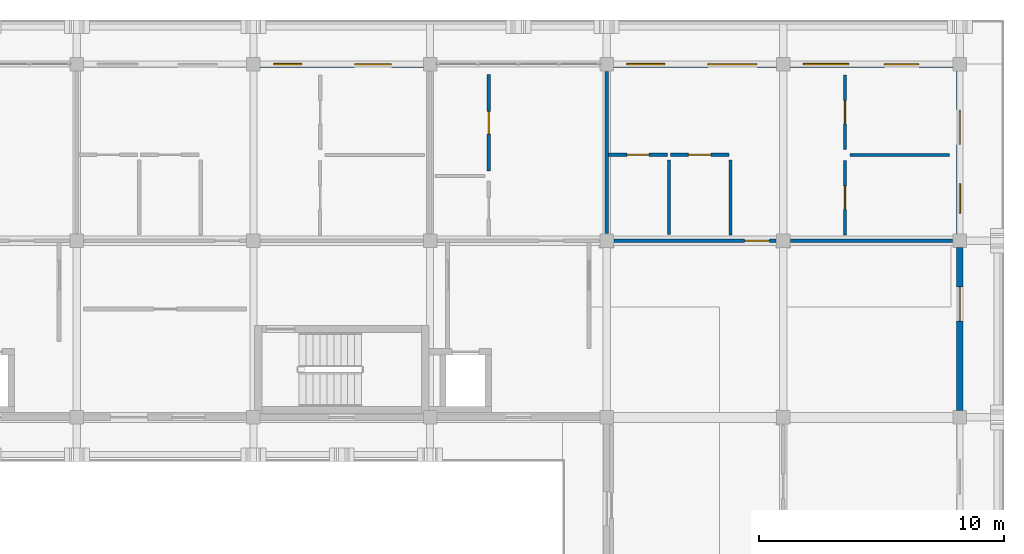
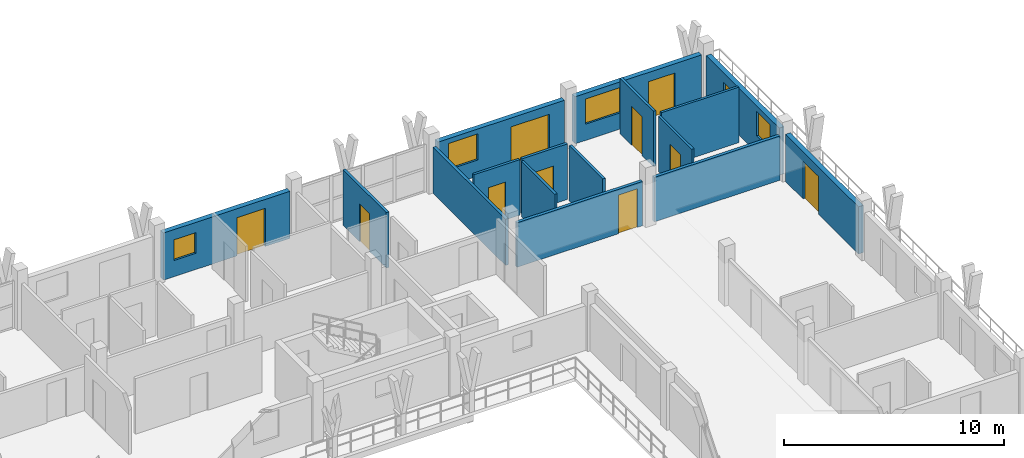
# One storey, part 47 of 60: 16 walls, 11 doors, 4 windows, 15 openings.
"""IFC4 building model written with IfcOpenShell, lengths in metres."""

from ifc_helpers import new_model, si_unit, direction, frame, frame_2d, origin, place, context, subcontext, project, spatial, rectangle, extrude, material, layer, layer_set, type_object, element, fill, save


model = new_model("IFC4")

# Units and contexts
model_context = context("Model", 3, precision=1e-05, world=origin(), true_north=direction((0.0, 1.0)))
body_context = subcontext(model_context, "Body", "Model", "MODEL_VIEW")
ifc_project = project(units=[si_unit("LENGTHUNIT", "METRE"), si_unit("AREAUNIT", "SQUARE_METRE"), si_unit("VOLUMEUNIT", "CUBIC_METRE"), si_unit("PLANEANGLEUNIT", "RADIAN"), si_unit("MASSUNIT", "GRAM", prefix="KILO")], contexts=[model_context])

# Site, building, storey
site_placement = place(None, origin())
site = spatial("IfcSite", under=ifc_project, at=site_placement, CompositionType="ELEMENT")
building_placement = place(site_placement, origin())
building = spatial("IfcBuilding", under=site, at=building_placement, Name="Suanplinth Sawtooth Commons", CompositionType="ELEMENT")
storey_placement = place(building_placement, frame((0.0, 0.0, 31.5)))
storey = spatial("IfcBuildingStorey", under=building, at=storey_placement, Name="L09", CompositionType="ELEMENT", Elevation=31.5)

# Wall, openings, door, window
ifc_material_1 = material(Name="Precast concrete C40/50", Category="concrete")
ifc_layer_1 = layer(ifc_material_1, 0.260009765625, Name="Insulated precast courtyard facade wall 260mm")
ifc_layer_set_1 = layer_set([ifc_layer_1], Name="Precast concrete C40/50")
wall_type_1 = type_object("IfcWallType", Name="W-EX02", PredefinedType="ELEMENTEDWALL", material=ifc_layer_set_1)
wall_1_placement = place(storey_placement, frame((158.675048828125, 122.39990234375, 0.0), z_axis=(0.0, 0.0, 1.0), x_axis=(1.0, 0.0, 0.0)))
wall_1 = element("IfcWall", 1, at=wall_1_placement, inside=storey, type_object=wall_type_1, Name="Facade Wall W-L09-B-N-22-16", PredefinedType="ELEMENTEDWALL", context=body_context, shape_type="SweptSolid", body=[
    extrude(rectangle(XDim=6.64990234375, YDim=0.260009765625, at=frame_2d((3.324951171875, 0.0))), origin(), (0.0, 0.0, 1.0), 2.614990234375),
])
opening_1_placement = place(wall_1_placement, frame((3.85009765625, 0.0, 0.0)))
opening_1 = element("IfcOpeningElement", 2, at=opening_1_placement, cuts=wall_1, Name="Opening ED0711", PredefinedType="OPENING", context=body_context, shape_type="SweptSolid", body=[
    extrude(rectangle(XDim=1.5, YDim=2.1201171875, at=frame_2d((0.75, 1.06005859375))), frame((0.0, 0.14501953125, 0.0), z_axis=(0.0, -1.0, 0.0), x_axis=(1.0, 0.0, 0.0)), (0.0, 0.0, 1.0), 0.289794921875),
])
opening_2_placement = place(wall_1_placement, frame((0.550048828125, 0.0, 0.89990234375)))
opening_2 = element("IfcOpeningElement", 3, at=opening_2_placement, cuts=wall_1, Name="Opening W0793", PredefinedType="OPENING", context=body_context, shape_type="SweptSolid", body=[
    extrude(rectangle(XDim=1.14990234375, YDim=1.14990234375, at=frame_2d((0.574951171875, 0.574951171875))), frame((0.0, 0.14501953125, 0.0), z_axis=(0.0, -1.0, 0.0), x_axis=(1.0, 0.0, 0.0)), (0.0, 0.0, 1.0), 0.289794921875),
])
ifc_material_2 = material(Name="Anodized aluminium and low-E glass", Category="aluminium")
door_type_1 = type_object("IfcDoorType", Name="SD-03", OperationType="SLIDING_TO_LEFT", PredefinedType="DOOR", material=ifc_material_2)
door_1_placement = place(opening_1_placement, frame((1.5, 0.0, 0.0), z_axis=(0.0, 0.0, 1.0), x_axis=(-1.0, 0.0, 0.0)))
door_1 = element("IfcDoor", 4, at=door_1_placement, inside=storey, type_object=door_type_1, Name="Balcony Sliding Door L09-B-22", OperationType="SLIDING_TO_LEFT", OverallHeight=2.1201171875, OverallWidth=1.5, PredefinedType="DOOR", context=body_context, shape_type="SweptSolid", body=[
    extrude(rectangle(XDim=1.5, YDim=2.1201171875, at=frame_2d((0.75, 1.06005859375))), frame((0.0, 0.02490234375, 0.0), z_axis=(0.0, -1.0, 0.0), x_axis=(1.0, 0.0, 0.0)), (0.0, 0.0, 1.0), 0.050048828125),
])
fill(opening_1, door_1)
ifc_material_3 = material(Name="Thermally broken aluminium and low-E double glazing", Category="aluminium")
window_type_1 = type_object("IfcWindowType", Name="WN-20", PartitioningType="SINGLE_PANEL", PredefinedType="WINDOW", material=ifc_material_3)
window_1_placement = place(opening_2_placement, origin())
window_1 = element("IfcWindow", 5, at=window_1_placement, inside=storey, type_object=window_type_1, Name="Apartment Window L09-B-22", OverallHeight=1.14990234375, OverallWidth=1.14990234375, PartitioningType="SINGLE_PANEL", PredefinedType="WINDOW", context=body_context, shape_type="SweptSolid", body=[
    extrude(rectangle(XDim=1.14990234375, YDim=1.14990234375, at=frame_2d((0.574951171875, 0.574951171875))), frame((0.0, 0.030029296875, 0.0), z_axis=(0.0, -1.0, 0.0), x_axis=(1.0, 0.0, 0.0)), (0.0, 0.0, 1.0), 0.06005859375),
])
fill(opening_2, window_1)

wall_2_placement = place(storey_placement, frame((173.074951171875, 122.39990234375, 0.0), z_axis=(0.0, 0.0, 1.0), x_axis=(1.0, 0.0, 0.0)))
wall_2 = element("IfcWall", 6, at=wall_2_placement, inside=storey, type_object=wall_type_1, Name="Facade Wall W-L09-B-N-24-16", PredefinedType="ELEMENTEDWALL", context=body_context, shape_type="SweptSolid", body=[
    extrude(rectangle(XDim=6.650146484375, YDim=0.260009765625, at=frame_2d((3.3251953125, 0.0))), origin(), (0.0, 0.0, 1.0), 2.614990234375),
])
opening_3_placement = place(wall_2_placement, frame((3.85009765625, 0.0, 0.0)))
opening_3 = element("IfcOpeningElement", 7, at=opening_3_placement, cuts=wall_2, Name="Opening ED0714", PredefinedType="OPENING", context=body_context, shape_type="SweptSolid", body=[
    extrude(rectangle(XDim=2.0, YDim=2.1201171875, at=frame_2d((1.0, 1.06005859375))), frame((0.0, 0.14501953125, 0.0), z_axis=(0.0, -1.0, 0.0), x_axis=(1.0, 0.0, 0.0)), (0.0, 0.0, 1.0), 0.289794921875),
])
opening_4_placement = place(wall_2_placement, frame((0.550048828125, 0.0, 0.89990234375)))
opening_4 = element("IfcOpeningElement", 8, at=opening_4_placement, cuts=wall_2, Name="Opening W0796", PredefinedType="OPENING", context=body_context, shape_type="SweptSolid", body=[
    extrude(rectangle(XDim=1.550048828125, YDim=1.449951171875, at=frame_2d((0.77490234375, 0.72509765625))), frame((0.0, 0.14501953125, 0.0), z_axis=(0.0, -1.0, 0.0), x_axis=(1.0, 0.0, 0.0)), (0.0, 0.0, 1.0), 0.289794921875),
])
door_type_2 = type_object("IfcDoorType", Name="SD-06", OperationType="DOUBLE_DOOR_SLIDING", PredefinedType="DOOR", material=ifc_material_2)
door_2_placement = place(opening_3_placement, frame((2.0, 0.0, 0.0), z_axis=(0.0, 0.0, 1.0), x_axis=(-1.0, 0.0, 0.0)))
door_2 = element("IfcDoor", 9, at=door_2_placement, inside=storey, type_object=door_type_2, Name="Balcony Sliding Door L09-B-24", OperationType="DOUBLE_DOOR_SLIDING", OverallHeight=2.1201171875, OverallWidth=2.0, PredefinedType="DOOR", context=body_context, shape_type="SweptSolid", body=[
    extrude(rectangle(XDim=2.0, YDim=2.1201171875, at=frame_2d((1.0, 1.06005859375))), frame((0.0, 0.02490234375, 0.0), z_axis=(0.0, -1.0, 0.0), x_axis=(1.0, 0.0, 0.0)), (0.0, 0.0, 1.0), 0.050048828125),
])
fill(opening_3, door_2)
window_type_2 = type_object("IfcWindowType", Name="WN-22", PartitioningType="DOUBLE_PANEL_VERTICAL", PredefinedType="WINDOW", material=ifc_material_3)
window_2_placement = place(opening_4_placement, origin())
window_2 = element("IfcWindow", 10, at=window_2_placement, inside=storey, type_object=window_type_2, Name="Apartment Window L09-B-24", OverallHeight=1.449951171875, OverallWidth=1.550048828125, PartitioningType="DOUBLE_PANEL_VERTICAL", PredefinedType="WINDOW", context=body_context, shape_type="SweptSolid", body=[
    extrude(rectangle(XDim=1.550048828125, YDim=1.449951171875, at=frame_2d((0.77490234375, 0.72509765625))), frame((0.0, 0.030029296875, 0.0), z_axis=(0.0, -1.0, 0.0), x_axis=(1.0, 0.0, 0.0)), (0.0, 0.0, 1.0), 0.06005859375),
])
fill(opening_4, window_2)

# Wall, opening, door
wall_3_placement = place(storey_placement, frame((187.199951171875, 108.27490234375, 0.0), z_axis=(0.0, 0.0, 1.0), x_axis=(0.0, 1.0, 0.0)))
wall_3 = element("IfcWall", 11, at=wall_3_placement, inside=storey, type_object=wall_type_1, Name="Facade Wall W-L09-B-E-25-15", PredefinedType="ELEMENTEDWALL", context=body_context, shape_type="SweptSolid", body=[
    extrude(rectangle(XDim=6.650146484375, YDim=0.260009765625, at=frame_2d((3.3251953125, 0.0))), origin(), (0.0, 0.0, 1.0), 2.614990234375),
])
opening_5_placement = place(wall_3_placement, frame((3.64990234375, 0.0, 0.0)))
opening_5 = element("IfcOpeningElement", 12, at=opening_5_placement, cuts=wall_3, Name="Opening ED0718", PredefinedType="OPENING", context=body_context, shape_type="SweptSolid", body=[
    extrude(rectangle(XDim=1.39990234375, YDim=2.10009765625, at=frame_2d((0.699951171875, 1.050048828125))), frame((0.0, 0.14501953125, 0.0), z_axis=(0.0, -1.0, 0.0), x_axis=(1.0, 0.0, 0.0)), (0.0, 0.0, 1.0), 0.289794921875),
])
door_type_3 = type_object("IfcDoorType", Name="SD-07", OperationType="SLIDING_TO_RIGHT", PredefinedType="DOOR", material=ifc_material_2)
door_3_placement = place(opening_5_placement, frame((1.39990234375, 0.0, 0.0), z_axis=(0.0, 0.0, 1.0), x_axis=(-1.0, 0.0, 0.0)))
door_3 = element("IfcDoor", 13, at=door_3_placement, inside=storey, type_object=door_type_3, Name="End Balcony Sliding Door L09-B-E-25-15", OperationType="SLIDING_TO_RIGHT", OverallHeight=2.10009765625, OverallWidth=1.39990234375, PredefinedType="DOOR", context=body_context, shape_type="SweptSolid", body=[
    extrude(rectangle(XDim=1.39990234375, YDim=2.10009765625, at=frame_2d((0.699951171875, 1.050048828125))), frame((0.0, 0.02490234375, 0.0), z_axis=(0.0, -1.0, 0.0), x_axis=(1.0, 0.0, 0.0)), (0.0, 0.0, 1.0), 0.050048828125),
])
fill(opening_5, door_3)

# Wall, openings, door, window
wall_4_placement = place(storey_placement, frame((180.27490234375, 122.39990234375, 0.0), z_axis=(0.0, 0.0, 1.0), x_axis=(1.0, 0.0, 0.0)))
wall_4 = element("IfcWall", 14, at=wall_4_placement, inside=storey, type_object=wall_type_1, Name="Facade Wall W-L09-B-N-25-16", PredefinedType="ELEMENTEDWALL", context=body_context, shape_type="SweptSolid", body=[
    extrude(rectangle(XDim=6.650146484375, YDim=0.260009765625, at=frame_2d((3.3251953125, 0.0))), origin(), (0.0, 0.0, 1.0), 2.614990234375),
])
opening_6_placement = place(wall_4_placement, frame((3.85009765625, 0.0, 0.0)))
opening_6 = element("IfcOpeningElement", 15, at=opening_6_placement, cuts=wall_4, Name="Opening ED0719", PredefinedType="OPENING", context=body_context, shape_type="SweptSolid", body=[
    extrude(rectangle(XDim=1.39990234375, YDim=2.10009765625, at=frame_2d((0.699951171875, 1.050048828125))), frame((0.0, 0.14501953125, 0.0), z_axis=(0.0, -1.0, 0.0), x_axis=(1.0, 0.0, 0.0)), (0.0, 0.0, 1.0), 0.289794921875),
])
opening_7_placement = place(wall_4_placement, frame((0.550048828125, 0.0, 0.89990234375)))
opening_7 = element("IfcOpeningElement", 16, at=opening_7_placement, cuts=wall_4, Name="Opening W0799", PredefinedType="OPENING", context=body_context, shape_type="SweptSolid", body=[
    extrude(rectangle(XDim=1.85009765625, YDim=1.39990234375, at=frame_2d((0.925048828125, 0.699951171875))), frame((0.0, 0.14501953125, 0.0), z_axis=(0.0, -1.0, 0.0), x_axis=(1.0, 0.0, 0.0)), (0.0, 0.0, 1.0), 0.289794921875),
])
door_4_placement = place(opening_6_placement, frame((1.39990234375, 0.0, 0.0), z_axis=(0.0, 0.0, 1.0), x_axis=(-1.0, 0.0, 0.0)))
door_4 = element("IfcDoor", 17, at=door_4_placement, inside=storey, type_object=door_type_3, Name="Balcony Sliding Door L09-B-25", OperationType="SLIDING_TO_RIGHT", OverallHeight=2.10009765625, OverallWidth=1.39990234375, PredefinedType="DOOR", context=body_context, shape_type="SweptSolid", body=[
    extrude(rectangle(XDim=1.39990234375, YDim=2.10009765625, at=frame_2d((0.699951171875, 1.050048828125))), frame((0.0, 0.02490234375, 0.0), z_axis=(0.0, -1.0, 0.0), x_axis=(1.0, 0.0, 0.0)), (0.0, 0.0, 1.0), 0.050048828125),
])
fill(opening_6, door_4)
window_type_3 = type_object("IfcWindowType", Name="WN-23", PartitioningType="DOUBLE_PANEL_VERTICAL", PredefinedType="WINDOW", material=ifc_material_3)
window_3_placement = place(opening_7_placement, origin())
window_3 = element("IfcWindow", 18, at=window_3_placement, inside=storey, type_object=window_type_3, Name="Apartment Window L09-B-25", OverallHeight=1.39990234375, OverallWidth=1.85009765625, PartitioningType="DOUBLE_PANEL_VERTICAL", PredefinedType="WINDOW", context=body_context, shape_type="SweptSolid", body=[
    extrude(rectangle(XDim=1.85009765625, YDim=1.39990234375, at=frame_2d((0.925048828125, 0.699951171875))), frame((0.0, 0.030029296875, 0.0), z_axis=(0.0, -1.0, 0.0), x_axis=(1.0, 0.0, 0.0)), (0.0, 0.0, 1.0), 0.06005859375),
])
fill(opening_7, window_3)

wall_5_placement = place(storey_placement, frame((187.199951171875, 115.47509765625, 0.0), z_axis=(0.0, 0.0, 1.0), x_axis=(0.0, 1.0, 0.0)))
wall_5 = element("IfcWall", 19, at=wall_5_placement, inside=storey, type_object=wall_type_1, Name="Facade Wall W-L09-B-E-25-16", PredefinedType="ELEMENTEDWALL", context=body_context, shape_type="SweptSolid", body=[
    extrude(rectangle(XDim=6.64990234375, YDim=0.260009765625, at=frame_2d((3.324951171875, 0.0))), origin(), (0.0, 0.0, 1.0), 2.614990234375),
])
opening_8_placement = place(wall_5_placement, frame((3.64990234375, 0.0, 0.0)))
opening_8 = element("IfcOpeningElement", 20, at=opening_8_placement, cuts=wall_5, Name="Opening ED0720", PredefinedType="OPENING", context=body_context, shape_type="SweptSolid", body=[
    extrude(rectangle(XDim=1.39990234375, YDim=2.10009765625, at=frame_2d((0.699951171875, 1.050048828125))), frame((0.0, 0.14501953125, 0.0), z_axis=(0.0, -1.0, 0.0), x_axis=(1.0, 0.0, 0.0)), (0.0, 0.0, 1.0), 0.289794921875),
])
opening_9_placement = place(wall_5_placement, frame((0.85009765625, 0.0, 0.949951171875)))
opening_9 = element("IfcOpeningElement", 21, at=opening_9_placement, cuts=wall_5, Name="Opening W0800", PredefinedType="OPENING", context=body_context, shape_type="SweptSolid", body=[
    extrude(rectangle(XDim=1.199951171875, YDim=1.35009765625, at=frame_2d((0.60009765625, 0.675048828125))), frame((0.0, 0.14501953125, 0.0), z_axis=(0.0, -1.0, 0.0), x_axis=(1.0, 0.0, 0.0)), (0.0, 0.0, 1.0), 0.289794921875),
])
door_5_placement = place(opening_8_placement, frame((1.39990234375, 0.0, 0.0), z_axis=(0.0, 0.0, 1.0), x_axis=(-1.0, 0.0, 0.0)))
door_5 = element("IfcDoor", 22, at=door_5_placement, inside=storey, type_object=door_type_3, Name="End Balcony Sliding Door L09-B-E-25-16", OperationType="SLIDING_TO_RIGHT", OverallHeight=2.10009765625, OverallWidth=1.39990234375, PredefinedType="DOOR", context=body_context, shape_type="SweptSolid", body=[
    extrude(rectangle(XDim=1.39990234375, YDim=2.10009765625, at=frame_2d((0.699951171875, 1.050048828125))), frame((0.0, 0.02490234375, 0.0), z_axis=(0.0, -1.0, 0.0), x_axis=(1.0, 0.0, 0.0)), (0.0, 0.0, 1.0), 0.050048828125),
])
fill(opening_8, door_5)
window_type_4 = type_object("IfcWindowType", Name="WN-03", PartitioningType="SINGLE_PANEL", PredefinedType="WINDOW", material=ifc_material_3)
window_4_placement = place(opening_9_placement, origin())
window_4 = element("IfcWindow", 23, at=window_4_placement, inside=storey, type_object=window_type_4, Name="End Bedroom Window L09-B-25-16", OverallHeight=1.35009765625, OverallWidth=1.199951171875, PartitioningType="SINGLE_PANEL", PredefinedType="WINDOW", context=body_context, shape_type="SweptSolid", body=[
    extrude(rectangle(XDim=1.199951171875, YDim=1.35009765625, at=frame_2d((0.60009765625, 0.675048828125))), frame((0.0, 0.030029296875, 0.0), z_axis=(0.0, -1.0, 0.0), x_axis=(1.0, 0.0, 0.0)), (0.0, 0.0, 1.0), 0.06005859375),
])
fill(opening_9, window_4)

# Wall, opening, door
ifc_layer_2 = layer(ifc_material_1, 0.159912109375, Name="Fire-rated corridor and lobby wall 160mm")
ifc_layer_set_2 = layer_set([ifc_layer_2], Name="Precast concrete C40/50")
wall_type_2 = type_object("IfcWallType", Name="W-FW01", PredefinedType="PARTITIONING", material=ifc_layer_set_2)
wall_6_placement = place(storey_placement, frame((173.10498046875, 115.199951171875, 0.0), z_axis=(0.0, 0.0, 1.0), x_axis=(1.0, 0.0, 0.0)))
wall_6 = element("IfcWall", 24, at=wall_6_placement, inside=storey, type_object=wall_type_2, Name="W-B-L09-U05-COR-S1", PredefinedType="PARTITIONING", context=body_context, shape_type="SweptSolid", body=[
    extrude(rectangle(XDim=6.590087890625, YDim=0.159912109375, at=frame_2d((3.294921875, 0.0))), origin(), (0.0, 0.0, 1.0), 2.465087890625),
])
opening_10_placement = place(wall_6_placement, frame((5.324951171875, 0.0, 0.0)))
opening_10 = element("IfcOpeningElement", 25, at=opening_10_placement, cuts=wall_6, Name="Opening FD1808", PredefinedType="OPENING", context=body_context, shape_type="SweptSolid", body=[
    extrude(rectangle(XDim=1.0, YDim=2.14990234375, at=frame_2d((0.5, 1.074951171875))), frame((0.0, 0.0947265625, 0.0), z_axis=(0.0, -1.0, 0.0), x_axis=(1.0, 0.0, 0.0)), (0.0, 0.0, 1.0), 0.189697265625),
])
ifc_material_4 = material(Name="Teak hardwood fire-rated door assembly", Category="wood")
door_type_4 = type_object("IfcDoorType", Name="FD-03", OperationType="NOTDEFINED", PredefinedType="DOOR", material=ifc_material_4)
door_6_placement = place(opening_10_placement, origin())
door_6 = element("IfcDoor", 26, at=door_6_placement, inside=storey, type_object=door_type_4, Name="Unit Entrance Door FD1808", OperationType="SINGLE_SWING_RIGHT", OverallHeight=2.14990234375, OverallWidth=1.0, PredefinedType="DOOR", context=body_context, shape_type="SweptSolid", body=[
    extrude(rectangle(XDim=1.0, YDim=2.14990234375, at=frame_2d((0.5, 1.074951171875))), frame((0.0, 0.02490234375, 0.0), z_axis=(0.0, -1.0, 0.0), x_axis=(1.0, 0.0, 0.0)), (0.0, 0.0, 1.0), 0.050048828125),
])
fill(opening_10, door_6)

# Walls
wall_7_placement = place(storey_placement, frame((180.304931640625, 115.199951171875, 0.0), z_axis=(0.0, 0.0, 1.0), x_axis=(1.0, 0.0, 0.0)))
element("IfcWall", 27, at=wall_7_placement, inside=storey, type_object=wall_type_2, Name="W-B-L09-U05-COR-S2", PredefinedType="PARTITIONING", context=body_context, shape_type="SweptSolid", body=[
    extrude(rectangle(XDim=6.590087890625, YDim=0.159912109375, at=frame_2d((3.294921875, 0.0))), origin(), (0.0, 0.0, 1.0), 2.465087890625),
])
ifc_layer_3 = layer(ifc_material_1, 0.14990234375, Name="Acoustic precast party demising wall 150mm")
ifc_layer_set_3 = layer_set([ifc_layer_3], Name="Precast concrete C40/50")
wall_type_3 = type_object("IfcWallType", Name="W-FW02", PredefinedType="PARTITIONING", material=ifc_layer_set_3)
wall_8_placement = place(storey_placement, frame((172.800048828125, 115.5048828125, 0.0), z_axis=(0.0, 0.0, 1.0), x_axis=(0.0, 1.0, 0.0)))
element("IfcWall", 28, at=wall_8_placement, inside=storey, type_object=wall_type_3, Name="W-B-L09-U04-PTY", PredefinedType="PARTITIONING", context=body_context, shape_type="SweptSolid", body=[
    extrude(rectangle(XDim=6.590087890625, YDim=0.14990234375, at=frame_2d((3.294921875, 0.0))), origin(), (0.0, 0.0, 1.0), 2.56494140625),
])

# Wall, opening, door
ifc_material_5 = material(Name="Gypsum plasterboard on steel stud", Category="steel")
ifc_layer_4 = layer(ifc_material_5, 0.139892578125, Name="Fire-rated kitchen partition 140mm")
ifc_layer_set_4 = layer_set([ifc_layer_4], Name="Gypsum plasterboard on steel stud")
wall_type_4 = type_object("IfcWallType", Name="W-PT01", PredefinedType="PARTITIONING", material=ifc_layer_set_4)
wall_9_placement = place(storey_placement, frame((167.9951171875, 118.0400390625, 0.0), z_axis=(0.0, 0.0, 1.0), x_axis=(0.0, 1.0, 0.0)))
wall_9 = element("IfcWall", 29, at=wall_9_placement, inside=storey, type_object=wall_type_4, Name="W-B-L09-U04-KITE", PredefinedType="PARTITIONING", context=body_context, shape_type="SweptSolid", body=[
    extrude(rectangle(XDim=3.93994140625, YDim=0.139892578125, at=frame_2d((1.969970703125, 0.0))), origin(), (0.0, 0.0, 1.0), 3.080078125),
])
opening_11_placement = place(wall_9_placement, frame((1.510009765625, 0.0, 0.0)))
opening_11 = element("IfcOpeningElement", 30, at=opening_11_placement, cuts=wall_9, Name="Opening D1807", PredefinedType="OPENING", context=body_context, shape_type="SweptSolid", body=[
    extrude(rectangle(XDim=0.919921875, YDim=2.10009765625, at=frame_2d((0.4599609375, 1.050048828125))), frame((0.0, 0.0849609375, 0.0), z_axis=(0.0, -1.0, 0.0), x_axis=(1.0, 0.0, 0.0)), (0.0, 0.0, 1.0), 0.169677734375),
])
ifc_material_6 = material(Name="Teak hardwood", Category="wood")
door_type_5 = type_object("IfcDoorType", Name="D-02", OperationType="NOTDEFINED", PredefinedType="DOOR", material=ifc_material_6)
door_7_placement = place(opening_11_placement, origin())
door_7 = element("IfcDoor", 31, at=door_7_placement, inside=storey, type_object=door_type_5, Name="Kitchen Door D1807", OperationType="SINGLE_SWING_LEFT", OverallHeight=2.10009765625, OverallWidth=0.919921875, PredefinedType="DOOR", context=body_context, shape_type="SweptSolid", body=[
    extrude(rectangle(XDim=0.919921875, YDim=2.10009765625, at=frame_2d((0.4599609375, 1.050048828125))), frame((0.0, 0.02490234375, 0.0), z_axis=(0.0, -1.0, 0.0), x_axis=(1.0, 0.0, 0.0)), (0.0, 0.0, 1.0), 0.050048828125),
])
fill(opening_11, door_7)

wall_10_placement = place(storey_placement, frame((175.39990234375, 118.7099609375, 0.0), z_axis=(0.0, 0.0, 1.0), x_axis=(1.0, 0.0, 0.0)))
wall_10 = element("IfcWall", 32, at=wall_10_placement, inside=storey, type_object=wall_type_4, Name="W-B-L09-U05-KIT1", PredefinedType="PARTITIONING", context=body_context, shape_type="SweptSolid", body=[
    extrude(rectangle(XDim=2.380126953125, YDim=0.139892578125, at=frame_2d((1.18994140625, 0.0))), origin(), (0.0, 0.0, 1.0), 3.080078125),
])
opening_12_placement = place(wall_10_placement, frame((0.72998046875, 0.0, 0.0)))
opening_12 = element("IfcOpeningElement", 33, at=opening_12_placement, cuts=wall_10, Name="Opening D1810", PredefinedType="OPENING", context=body_context, shape_type="SweptSolid", body=[
    extrude(rectangle(XDim=0.919921875, YDim=2.10009765625, at=frame_2d((0.4599609375, 1.050048828125))), frame((0.0, 0.0849609375, 0.0), z_axis=(0.0, -1.0, 0.0), x_axis=(1.0, 0.0, 0.0)), (0.0, 0.0, 1.0), 0.169677734375),
])
door_8_placement = place(opening_12_placement, frame((0.919921875, 0.0, 0.0), z_axis=(0.0, 0.0, 1.0), x_axis=(-1.0, 0.0, 0.0)))
door_8 = element("IfcDoor", 34, at=door_8_placement, inside=storey, type_object=door_type_5, Name="Kitchen Door D1810", OperationType="SINGLE_SWING_RIGHT", OverallHeight=2.10009765625, OverallWidth=0.919921875, PredefinedType="DOOR", context=body_context, shape_type="SweptSolid", body=[
    extrude(rectangle(XDim=0.919921875, YDim=2.10009765625, at=frame_2d((0.4599609375, 1.050048828125))), frame((0.0, 0.02490234375, 0.0), z_axis=(0.0, -1.0, 0.0), x_axis=(1.0, 0.0, 0.0)), (0.0, 0.0, 1.0), 0.050048828125),
])
fill(opening_12, door_8)

# Wall
wall_11_placement = place(storey_placement, frame((177.85009765625, 115.429931640625, 0.0), z_axis=(0.0, 0.0, 1.0), x_axis=(0.0, 1.0, 0.0)))
element("IfcWall", 35, at=wall_11_placement, inside=storey, type_object=wall_type_4, Name="W-B-L09-U05-KIT2", PredefinedType="PARTITIONING", context=body_context, shape_type="SweptSolid", body=[
    extrude(rectangle(XDim=3.06005859375, YDim=0.139892578125, at=frame_2d((1.530029296875, 0.0))), origin(), (0.0, 0.0, 1.0), 3.080078125),
])

# Wall, opening, door
ifc_layer_5 = layer(ifc_material_5, 0.1298828125, Name="Moisture-resistant bathroom partition 130mm")
ifc_layer_set_5 = layer_set([ifc_layer_5], Name="Gypsum plasterboard on steel stud")
wall_type_5 = type_object("IfcWallType", Name="W-PT02", PredefinedType="PARTITIONING", material=ifc_layer_set_5)
wall_12_placement = place(storey_placement, frame((172.8798828125, 118.705078125, 0.0), z_axis=(0.0, 0.0, 1.0), x_axis=(1.0, 0.0, 0.0)))
wall_12 = element("IfcWall", 36, at=wall_12_placement, inside=storey, type_object=wall_type_5, Name="W-B-L09-U05-BTH1", PredefinedType="PARTITIONING", context=body_context, shape_type="SweptSolid", body=[
    extrude(rectangle(XDim=2.400146484375, YDim=0.1298828125, at=frame_2d((1.2001953125, 0.0))), origin(), (0.0, 0.0, 1.0), 3.080078125),
])
opening_13_placement = place(wall_12_placement, frame((0.75, 0.0, 0.0)))
opening_13 = element("IfcOpeningElement", 37, at=opening_13_placement, cuts=wall_12, Name="Opening D1809", PredefinedType="OPENING", context=body_context, shape_type="SweptSolid", body=[
    extrude(rectangle(XDim=0.89990234375, YDim=2.10009765625, at=frame_2d((0.449951171875, 1.050048828125))), frame((0.0, 0.079833984375, 0.0), z_axis=(0.0, -1.0, 0.0), x_axis=(1.0, 0.0, 0.0)), (0.0, 0.0, 1.0), 0.15966796875),
])
door_type_6 = type_object("IfcDoorType", Name="D-01", OperationType="NOTDEFINED", PredefinedType="DOOR", material=ifc_material_6)
door_9_placement = place(opening_13_placement, frame((0.89990234375, 0.0, 0.0), z_axis=(0.0, 0.0, 1.0), x_axis=(-1.0, 0.0, 0.0)))
door_9 = element("IfcDoor", 38, at=door_9_placement, inside=storey, type_object=door_type_6, Name="Bathroom Door D1809", OperationType="SINGLE_SWING_LEFT", OverallHeight=2.10009765625, OverallWidth=0.89990234375, PredefinedType="DOOR", context=body_context, shape_type="SweptSolid", body=[
    extrude(rectangle(XDim=0.89990234375, YDim=2.10009765625, at=frame_2d((0.449951171875, 1.050048828125))), frame((0.0, 0.02490234375, 0.0), z_axis=(0.0, -1.0, 0.0), x_axis=(1.0, 0.0, 0.0)), (0.0, 0.0, 1.0), 0.050048828125),
])
fill(opening_13, door_9)

# Wall
wall_13_placement = place(storey_placement, frame((175.344970703125, 115.4599609375, 0.0), z_axis=(0.0, 0.0, 1.0), x_axis=(0.0, 1.0, 0.0)))
element("IfcWall", 39, at=wall_13_placement, inside=storey, type_object=wall_type_5, Name="W-B-L09-U05-BTH2", PredefinedType="PARTITIONING", context=body_context, shape_type="SweptSolid", body=[
    extrude(rectangle(XDim=3.0400390625, YDim=0.1298828125, at=frame_2d((1.52001953125, 0.0))), origin(), (0.0, 0.0, 1.0), 3.080078125),
])

# Wall, opening, door
ifc_layer_6 = layer(ifc_material_5, 0.1201171875, Name="Acoustic bedroom partition 120mm")
ifc_layer_set_6 = layer_set([ifc_layer_6], Name="Gypsum plasterboard on steel stud")
wall_type_6 = type_object("IfcWallType", Name="W-PT03", PredefinedType="PARTITIONING", material=ifc_layer_set_6)
wall_14_placement = place(storey_placement, frame((182.52001953125, 115.43994140625, 0.0), z_axis=(0.0, 0.0, 1.0), x_axis=(0.0, 1.0, 0.0)))
wall_14 = element("IfcWall", 40, at=wall_14_placement, inside=storey, type_object=wall_type_6, Name="W-B-L09-U05-BED2", PredefinedType="PARTITIONING", context=body_context, shape_type="SweptSolid", body=[
    extrude(rectangle(XDim=3.0400390625, YDim=0.1201171875, at=frame_2d((1.52001953125, 0.0))), origin(), (0.0, 0.0, 1.0), 3.080078125),
])
opening_14_placement = place(wall_14_placement, frame((1.0400390625, 0.0, 0.0)))
opening_14 = element("IfcOpeningElement", 41, at=opening_14_placement, cuts=wall_14, Name="Opening D1812", PredefinedType="OPENING", context=body_context, shape_type="SweptSolid", body=[
    extrude(rectangle(XDim=0.9599609375, YDim=2.14990234375, at=frame_2d((0.47998046875, 1.074951171875))), frame((0.0, 0.074951171875, 0.0), z_axis=(0.0, -1.0, 0.0), x_axis=(1.0, 0.0, 0.0)), (0.0, 0.0, 1.0), 0.14990234375),
])
door_type_7 = type_object("IfcDoorType", Name="D-13", OperationType="NOTDEFINED", PredefinedType="DOOR", material=ifc_material_6)
door_10_placement = place(opening_14_placement, frame((0.9599609375, 0.0, 0.0), z_axis=(0.0, 0.0, 1.0), x_axis=(-1.0, 0.0, 0.0)))
door_10 = element("IfcDoor", 42, at=door_10_placement, inside=storey, type_object=door_type_7, Name="Second Bedroom Door D1812", OperationType="SINGLE_SWING_RIGHT", OverallHeight=2.14990234375, OverallWidth=0.9599609375, PredefinedType="DOOR", context=body_context, shape_type="SweptSolid", body=[
    extrude(rectangle(XDim=0.9599609375, YDim=2.14990234375, at=frame_2d((0.47998046875, 1.074951171875))), frame((0.0, 0.02490234375, 0.0), z_axis=(0.0, -1.0, 0.0), x_axis=(1.0, 0.0, 0.0)), (0.0, 0.0, 1.0), 0.050048828125),
])
fill(opening_14, door_10)

# Wall
ifc_layer_7 = layer(ifc_material_5, 0.125, Name="Acoustic study partition 125mm")
ifc_layer_set_7 = layer_set([ifc_layer_7], Name="Gypsum plasterboard on steel stud")
wall_type_7 = type_object("IfcWallType", Name="W-PT06", PredefinedType="PARTITIONING", material=ifc_layer_set_7)
wall_15_placement = place(storey_placement, frame((182.719970703125, 118.699951171875, 0.0), z_axis=(0.0, 0.0, 1.0), x_axis=(1.0, 0.0, 0.0)))
element("IfcWall", 43, at=wall_15_placement, inside=storey, type_object=wall_type_7, Name="W-B-L09-U05-BEDDIV", PredefinedType="PARTITIONING", context=body_context, shape_type="SweptSolid", body=[
    extrude(rectangle(XDim=4.06005859375, YDim=0.125, at=frame_2d((2.030029296875, 0.0))), origin(), (0.0, 0.0, 1.0), 3.080078125),
])

# Wall, opening, door
ifc_layer_8 = layer(ifc_material_5, 0.135009765625, Name="Insulated bedroom demising partition 135mm")
ifc_layer_set_8 = layer_set([ifc_layer_8], Name="Gypsum plasterboard on steel stud")
wall_type_8 = type_object("IfcWallType", Name="W-PT07", PredefinedType="PARTITIONING", material=ifc_layer_set_8)
wall_16_placement = place(storey_placement, frame((182.52001953125, 118.919921875, 0.0), z_axis=(0.0, 0.0, 1.0), x_axis=(0.0, 1.0, 0.0)))
wall_16 = element("IfcWall", 44, at=wall_16_placement, inside=storey, type_object=wall_type_8, Name="W-B-L09-U05-BED1", PredefinedType="PARTITIONING", context=body_context, shape_type="SweptSolid", body=[
    extrude(rectangle(XDim=3.0400390625, YDim=0.135009765625, at=frame_2d((1.52001953125, 0.0))), origin(), (0.0, 0.0, 1.0), 3.080078125),
])
opening_15_placement = place(wall_16_placement, frame((1.044921875, 0.0, 0.0)))
opening_15 = element("IfcOpeningElement", 45, at=opening_15_placement, cuts=wall_16, Name="Opening D1811", PredefinedType="OPENING", context=body_context, shape_type="SweptSolid", body=[
    extrude(rectangle(XDim=0.949951171875, YDim=2.14990234375, at=frame_2d((0.47509765625, 1.074951171875))), frame((0.0, 0.08251953125, 0.0), z_axis=(0.0, -1.0, 0.0), x_axis=(1.0, 0.0, 0.0)), (0.0, 0.0, 1.0), 0.164794921875),
])
door_type_8 = type_object("IfcDoorType", Name="D-03", OperationType="NOTDEFINED", PredefinedType="DOOR", material=ifc_material_6)
door_11_placement = place(opening_15_placement, frame((0.949951171875, 0.0, 0.0), z_axis=(0.0, 0.0, 1.0), x_axis=(-1.0, 0.0, 0.0)))
door_11 = element("IfcDoor", 46, at=door_11_placement, inside=storey, type_object=door_type_8, Name="Bedroom Door D1811", OperationType="SINGLE_SWING_LEFT", OverallHeight=2.14990234375, OverallWidth=0.949951171875, PredefinedType="DOOR", context=body_context, shape_type="SweptSolid", body=[
    extrude(rectangle(XDim=0.949951171875, YDim=2.14990234375, at=frame_2d((0.47509765625, 1.074951171875))), frame((0.0, 0.02490234375, 0.0), z_axis=(0.0, -1.0, 0.0), x_axis=(1.0, 0.0, 0.0)), (0.0, 0.0, 1.0), 0.050048828125),
])
fill(opening_15, door_11)

save(model, "model.ifc")
